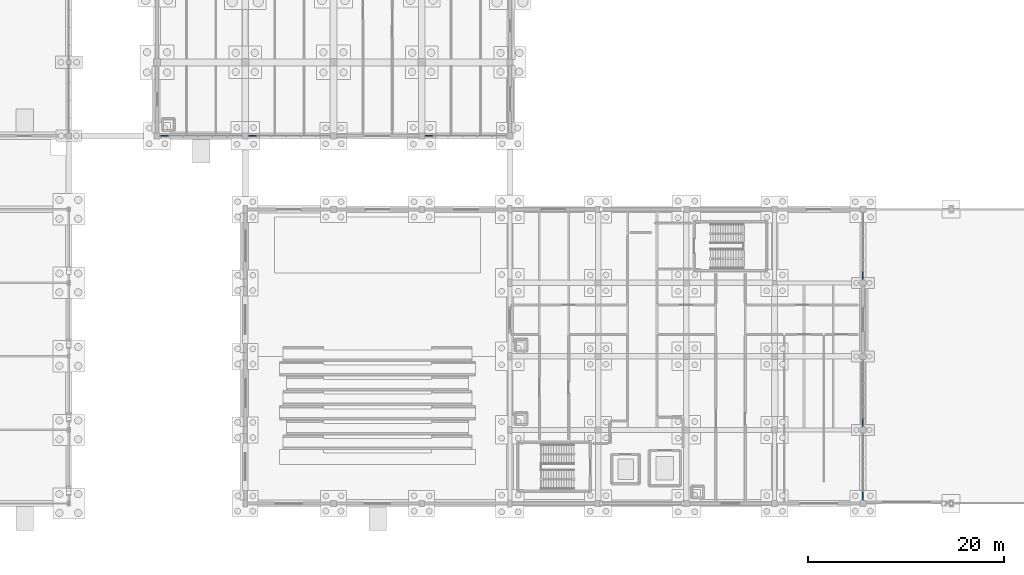
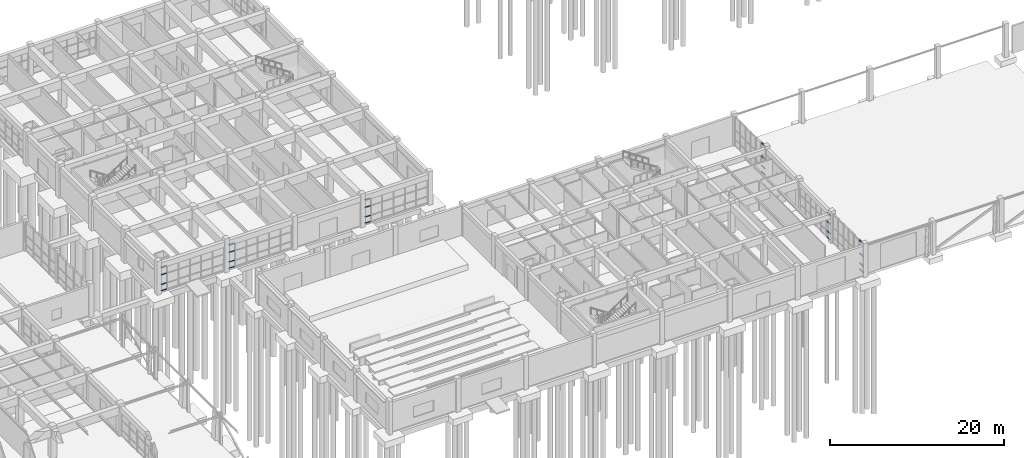
# One storey, part 40 of 93: 24 members, 6 elements without a shape of their own.
"""IFC4 building model written with IfcOpenShell, lengths in metres."""

import ifcopenshell
import ifcopenshell.guid

model = None  # the IFC model being written
_history = None  # IfcOwnerHistory: only IFC2X3 demands one
_inside = {}  # id of a spatial element -> (the spatial element, [elements in it])
_under = {}  # id of a project, library or spatial element -> (it, [spatial elements below it])
_declared = {}  # id of a project -> (the project, [libraries it declares])
_typed = {}  # id of a type object -> (the type object, [elements of that type])
_made_of = {}  # id of a material, layer set ... -> (it, [elements and type objects made of it])


def new_model(schema):
    """Start an empty IFC model of exactly this schema.

    Asked for "IFC4X3", IfcOpenShell would pick the latest addendum, in which some entities
    have other attributes; the version numbers below select the first issue.
    IFC2X3 requires an IfcOwnerHistory on every rooted entity: one is made here for all.
    """
    global model, _history
    if schema == "IFC4X3":
        model = ifcopenshell.file(schema_version=(4, 3, 0, 0))
    else:
        model = ifcopenshell.file(schema=schema)
    _inside.clear()
    _under.clear()
    _declared.clear()
    _typed.clear()
    _made_of.clear()
    _history = None
    if model.schema == "IFC2X3":
        org = make("IfcOrganization", Name="unknown")
        user = make(
            "IfcPersonAndOrganization",
            ThePerson=make("IfcPerson", FamilyName="unknown"),
            TheOrganization=org,
        )
        app = make(
            "IfcApplication",
            ApplicationDeveloper=org,
            Version="unknown",
            ApplicationFullName="unknown",
            ApplicationIdentifier="unknown",
        )
        _history = make(
            "IfcOwnerHistory",
            OwningUser=user,
            OwningApplication=app,
            ChangeAction="ADDED",
            CreationDate=0,
        )
    return model


def make(cls, **values):
    """One entity of the class cls with the attributes given. An attribute that is None is left unset."""
    return model.create_entity(
        cls, **{name: value for name, value in values.items() if value is not None}
    )


def rooted(cls, **values):
    """An entity with a GlobalId (a new one), such as an element, a storey or a relation."""
    return make(cls, GlobalId=ifcopenshell.guid.new(), OwnerHistory=_history, **values)


def si_unit(unit_type, name, prefix=None):
    """IfcSIUnit, for example si_unit("LENGTHUNIT", "METRE", prefix="MILLI")."""
    return make("IfcSIUnit", UnitType=unit_type, Prefix=prefix, Name=name)


def assignment(units):
    """IfcUnitAssignment: the units of a project."""
    return None if units is None else make("IfcUnitAssignment", Units=units)


def point(xyz):
    """IfcCartesianPoint."""
    return None if xyz is None else make("IfcCartesianPoint", Coordinates=xyz)


def direction(xyz):
    """IfcDirection."""
    return None if xyz is None else make("IfcDirection", DirectionRatios=xyz)


def frame(location, z_axis=None, x_axis=None):
    """IfcAxis2Placement3D, a coordinate frame: its origin and axes. An axis left out is left unset."""
    return make(
        "IfcAxis2Placement3D",
        Location=point(location),
        Axis=direction(z_axis),
        RefDirection=direction(x_axis),
    )


def frame_2d(location, x_axis=None):
    """IfcAxis2Placement2D, a coordinate frame in the plane: its origin and x axis."""
    return make(
        "IfcAxis2Placement2D", Location=point(location), RefDirection=direction(x_axis)
    )


def origin():
    """The frame at (0, 0, 0) with its axes left unset."""
    return frame((0.0, 0.0, 0.0))


def origin_2d():
    """The frame at (0, 0) in the plane with its x axis left unset."""
    return frame_2d((0.0, 0.0))


def place(relative_to, where):
    """IfcLocalPlacement: puts the frame where relative to a parent placement (None: the world)."""
    return make(
        "IfcLocalPlacement", PlacementRelTo=relative_to, RelativePlacement=where
    )


def context(
    kind, dimensions, precision=None, world=None, true_north=None, identifier=None
):
    """IfcGeometricRepresentationContext, for example the 3D "Model" context."""
    return make(
        "IfcGeometricRepresentationContext",
        ContextIdentifier=identifier,
        ContextType=kind,
        CoordinateSpaceDimension=dimensions,
        Precision=precision,
        WorldCoordinateSystem=world,
        TrueNorth=true_north,
    )


def subcontext(parent, identifier, kind, view, scale=None):
    """IfcGeometricRepresentationSubContext, for example "Body" below "Model"."""
    return make(
        "IfcGeometricRepresentationSubContext",
        ContextIdentifier=identifier,
        ContextType=kind,
        ParentContext=parent,
        TargetScale=scale,
        TargetView=view,
    )


def project(units=None, contexts=None):
    """IfcProject with its units and contexts."""
    return rooted(
        "IfcProject",
        Name="project",
        RepresentationContexts=contexts,
        UnitsInContext=assignment(units),
    )


def spatial(cls, under=None, at=None, **own):
    """A site, building, storey or space (cls), placed at a placement, below another one or the project."""
    s = rooted(cls, ObjectPlacement=at, **own)
    if under is not None:
        _under.setdefault(under.id(), (under, []))[1].append(s)
    return s


def profile(cls, at=None, kind="AREA", **sizes):
    """A parametric profile (cls). Its sizes go by their IFC names, for example OverallWidth=200.0."""
    return make(cls, ProfileType=kind, Position=at, **sizes)


def rectangle(**sizes):
    """IfcRectangleProfileDef."""
    return profile("IfcRectangleProfileDef", **sizes)


def extrude(swept, where, along, depth):
    """IfcExtrudedAreaSolid: the profile swept, set in the frame where, extruded along a direction by depth."""
    return make(
        "IfcExtrudedAreaSolid",
        SweptArea=swept,
        Position=where,
        ExtrudedDirection=direction(along),
        Depth=depth,
    )


def shape(context_of_items, identifier, shape_type, items):
    """IfcShapeRepresentation: the items that make up one representation, for example the "Body"."""
    return make(
        "IfcShapeRepresentation",
        ContextOfItems=context_of_items,
        RepresentationIdentifier=identifier,
        RepresentationType=shape_type,
        Items=items,
    )


def material(Name=None, Category=None):
    """IfcMaterial."""
    return make("IfcMaterial", Name=Name, Category=Category)


def layer(
    of_material, thickness, ventilated=None, Name=None, Category=None, Priority=None
):
    """IfcMaterialLayer: one layer of a wall or slab, of a material (None: an air gap)."""
    return make(
        "IfcMaterialLayer",
        Material=of_material,
        LayerThickness=thickness,
        IsVentilated=ventilated,
        Name=Name,
        Category=Category,
        Priority=Priority,
    )


def layer_set(layers, Name=None):
    """IfcMaterialLayerSet."""
    return make("IfcMaterialLayerSet", MaterialLayers=layers, LayerSetName=Name)


def material_profile(
    of_material, cross_section, Name=None, Category=None, Priority=None
):
    """IfcMaterialProfile: a cross section and its material."""
    return make(
        "IfcMaterialProfile",
        Name=Name,
        Material=of_material,
        Profile=cross_section,
        Priority=Priority,
        Category=Category,
    )


def profile_set(profiles, Name=None, composite=None):
    """IfcMaterialProfileSet."""
    return make(
        "IfcMaterialProfileSet",
        Name=Name,
        MaterialProfiles=profiles,
        CompositeProfile=composite,
    )


def made_of(thing, what):
    """Note that an element or type object is made of a material, layer set ...; save() writes the relation."""
    if what is not None:
        _made_of.setdefault(what.id(), (what, []))[1].append(thing)
    return thing


def type_object(cls, material=None, **own):
    """A type object (cls), such as IfcWallType, which elements share."""
    return made_of(rooted(cls, **own), material)


def element(
    cls,
    number,
    at=None,
    inside=None,
    cuts=None,
    type_object=None,
    material=None,
    context=None,
    identifier="Body",
    shape_type=None,
    held_by="IfcProductDefinitionShape",
    body=None,
    shapes=None,
    **own,
):
    """One element of the class cls, such as IfcWall. Its Tag is "e" and its number.

    at: its placement. inside: the storey or other place that contains it. cuts: it is an
    opening in that element (IfcRelVoidsElement). A single representation is given by context,
    identifier, shape_type and body (its items); several are given by shapes. held_by: the class
    of the entity that holds the representations. save() writes the other relations.
    """
    e = rooted(cls, Tag="e%d" % number, ObjectPlacement=at, **own)
    if body is not None:
        shapes = [shape(context, identifier, shape_type, body)]
    if shapes is not None:
        e.Representation = make(held_by, Representations=shapes)
    if inside is not None:
        _inside.setdefault(inside.id(), (inside, []))[1].append(e)
    if cuts is not None:
        rooted(
            "IfcRelVoidsElement", RelatingBuildingElement=cuts, RelatedOpeningElement=e
        )
    if type_object is not None:
        _typed.setdefault(type_object.id(), (type_object, []))[1].append(e)
    return made_of(e, material)


def aggregate(whole, parts):
    """IfcRelAggregates: a whole, such as a stair, and the parts it consists of."""
    return rooted("IfcRelAggregates", RelatingObject=whole, RelatedObjects=parts)


def save(model, path):
    """Write the relations noted so far, then the file.

    IfcRelAggregates (storeys below a building ...), IfcRelContainedInSpatialStructure (elements
    in a storey), IfcRelDefinesByType, IfcRelAssociatesMaterial and IfcRelDeclares: one each for
    every whole, place, type object, material and project.
    """
    for whole, parts in _under.values():
        aggregate(whole, parts)
    for where, things in _inside.values():
        rooted(
            "IfcRelContainedInSpatialStructure",
            RelatedElements=things,
            RelatingStructure=where,
        )
    for kind, things in _typed.values():
        rooted("IfcRelDefinesByType", RelatedObjects=things, RelatingType=kind)
    for what, things in _made_of.values():
        rooted("IfcRelAssociatesMaterial", RelatedObjects=things, RelatingMaterial=what)
    for by, libraries in _declared.values():
        rooted("IfcRelDeclares", RelatingContext=by, RelatedDefinitions=libraries)
    model.write(path)


model = new_model("IFC4")

# Units and contexts
model_context = context("Model", 3, precision=1e-05, world=origin(), true_north=direction((0.0, 1.0)))
body_context = subcontext(model_context, "Body", "Model", "MODEL_VIEW")
ifc_project = project(units=[si_unit("LENGTHUNIT", "METRE"), si_unit("AREAUNIT", "SQUARE_METRE"), si_unit("VOLUMEUNIT", "CUBIC_METRE"), si_unit("PLANEANGLEUNIT", "RADIAN"), si_unit("MASSUNIT", "GRAM", prefix="KILO")], contexts=[model_context])

# Site, building, storey
site_placement = place(None, origin())
site = spatial("IfcSite", under=ifc_project, at=site_placement, CompositionType="ELEMENT")
building_placement = place(site_placement, origin())
building = spatial("IfcBuilding", under=site, at=building_placement, Name="Marnridge Secondary College", CompositionType="ELEMENT")
storey_placement = place(building_placement, origin())
storey = spatial("IfcBuildingStorey", under=building, at=storey_placement, Name="L00", CompositionType="ELEMENT", Elevation=0.0)

# Curtain wall, members
ifc_material_1 = material(Name="Thermally broken aluminium and low-E glazing", Category="aluminium")
ifc_layer_1 = layer(ifc_material_1, 0.159912109375)
ifc_layer_set_1 = layer_set([ifc_layer_1], Name="CW-MOD-1500")
curtain_wall_type_1 = type_object("IfcCurtainWallType", Name="CW-MOD-1500", PredefinedType="NOTDEFINED", material=ifc_layer_set_1)
curtain_wall_1_placement = place(storey_placement, origin())
curtain_wall_1 = element("IfcCurtainWall", 1, at=curtain_wall_1_placement, inside=storey, type_object=curtain_wall_type_1, Name="Unitised curtain wall CW-L00-004", PredefinedType="NOTDEFINED")
ifc_material_2 = material(Name="Anodised aluminium 6063-T6", Category="aluminium")
ifc_material_profile = material_profile(ifc_material_2, rectangle(XDim=0.06005859375, YDim=0.1201171875, at=origin_2d()), Name="ALU 60x120")
ifc_profile_set = profile_set([ifc_material_profile], Name="Anodised aluminium 6063-T6")
member_type = type_object("IfcMemberType", Name="CWT-ALU120", PredefinedType="USERDEFINED", material=ifc_profile_set)
member_1_placement = place(storey_placement, frame((82.135986328125, 37.5, 0.030029296875), z_axis=(-1.0, 0.0, 0.0), x_axis=(0.0, 0.0, 1.0)))
member_1 = element("IfcMember", 2, at=member_1_placement, type_object=member_type, Name="CW-L00-004 transom 6.1", ObjectType="TRANSOM", PredefinedType="USERDEFINED", context=body_context, shape_type="SweptSolid", body=[
    extrude(rectangle(XDim=0.06005859375, YDim=0.1201171875, at=origin_2d()), origin(), (0.0, 0.0, 1.0), 0.77197265625),
])
member_2_placement = place(storey_placement, frame((82.135986328125, 37.5, 0.89990234375), z_axis=(-1.0, 0.0, 0.0), x_axis=(0.0, 0.0, 1.0)))
member_2 = element("IfcMember", 3, at=member_2_placement, type_object=member_type, Name="CW-L00-004 transom 6.2", ObjectType="TRANSOM", PredefinedType="USERDEFINED", context=body_context, shape_type="SweptSolid", body=[
    extrude(rectangle(XDim=0.06005859375, YDim=0.1201171875, at=origin_2d()), origin(), (0.0, 0.0, 1.0), 0.77197265625),
])
member_3_placement = place(storey_placement, frame((82.135986328125, 37.5, 2.25), z_axis=(-1.0, 0.0, 0.0), x_axis=(0.0, 0.0, 1.0)))
member_3 = element("IfcMember", 4, at=member_3_placement, type_object=member_type, Name="CW-L00-004 transom 6.3", ObjectType="TRANSOM", PredefinedType="USERDEFINED", context=body_context, shape_type="SweptSolid", body=[
    extrude(rectangle(XDim=0.06005859375, YDim=0.1201171875, at=origin_2d()), origin(), (0.0, 0.0, 1.0), 0.77197265625),
])
member_4_placement = place(storey_placement, frame((82.135986328125, 37.5, 3.2919921875), z_axis=(-1.0, 0.0, 0.0), x_axis=(0.0, 0.0, 1.0)))
member_4 = element("IfcMember", 5, at=member_4_placement, type_object=member_type, Name="CW-L00-004 transom 6.4", ObjectType="TRANSOM", PredefinedType="USERDEFINED", context=body_context, shape_type="SweptSolid", body=[
    extrude(rectangle(XDim=0.06005859375, YDim=0.1201171875, at=origin_2d()), origin(), (0.0, 0.0, 1.0), 0.77197265625),
])
aggregate(curtain_wall_1, [member_1, member_2, member_3, member_4])

curtain_wall_2_placement = place(storey_placement, origin())
curtain_wall_2 = element("IfcCurtainWall", 6, at=curtain_wall_2_placement, inside=storey, type_object=curtain_wall_type_1, Name="Unitised curtain wall CW-L00-005", PredefinedType="NOTDEFINED")
member_5_placement = place(storey_placement, frame((64.135986328125, 37.5, 0.030029296875), z_axis=(-1.0, 0.0, 0.0), x_axis=(0.0, 0.0, 1.0)))
member_5 = element("IfcMember", 7, at=member_5_placement, type_object=member_type, Name="CW-L00-005 transom 6.1", ObjectType="TRANSOM", PredefinedType="USERDEFINED", context=body_context, shape_type="SweptSolid", body=[
    extrude(rectangle(XDim=0.06005859375, YDim=0.1201171875, at=origin_2d()), origin(), (0.0, 0.0, 1.0), 0.77197265625),
])
member_6_placement = place(storey_placement, frame((64.135986328125, 37.5, 0.89990234375), z_axis=(-1.0, 0.0, 0.0), x_axis=(0.0, 0.0, 1.0)))
member_6 = element("IfcMember", 8, at=member_6_placement, type_object=member_type, Name="CW-L00-005 transom 6.2", ObjectType="TRANSOM", PredefinedType="USERDEFINED", context=body_context, shape_type="SweptSolid", body=[
    extrude(rectangle(XDim=0.06005859375, YDim=0.1201171875, at=origin_2d()), origin(), (0.0, 0.0, 1.0), 0.77197265625),
])
member_7_placement = place(storey_placement, frame((64.135986328125, 37.5, 2.25), z_axis=(-1.0, 0.0, 0.0), x_axis=(0.0, 0.0, 1.0)))
member_7 = element("IfcMember", 9, at=member_7_placement, type_object=member_type, Name="CW-L00-005 transom 6.3", ObjectType="TRANSOM", PredefinedType="USERDEFINED", context=body_context, shape_type="SweptSolid", body=[
    extrude(rectangle(XDim=0.06005859375, YDim=0.1201171875, at=origin_2d()), origin(), (0.0, 0.0, 1.0), 0.77197265625),
])
member_8_placement = place(storey_placement, frame((64.135986328125, 37.5, 3.2919921875), z_axis=(-1.0, 0.0, 0.0), x_axis=(0.0, 0.0, 1.0)))
member_8 = element("IfcMember", 10, at=member_8_placement, type_object=member_type, Name="CW-L00-005 transom 6.4", ObjectType="TRANSOM", PredefinedType="USERDEFINED", context=body_context, shape_type="SweptSolid", body=[
    extrude(rectangle(XDim=0.06005859375, YDim=0.1201171875, at=origin_2d()), origin(), (0.0, 0.0, 1.0), 0.77197265625),
])
aggregate(curtain_wall_2, [member_5, member_6, member_7, member_8])

curtain_wall_3_placement = place(storey_placement, origin())
curtain_wall_3 = element("IfcCurtainWall", 11, at=curtain_wall_3_placement, inside=storey, type_object=curtain_wall_type_1, Name="Unitised curtain wall CW-L00-006", PredefinedType="NOTDEFINED")
member_9_placement = place(storey_placement, frame((55.135986328125, 37.5, 0.030029296875), z_axis=(-1.0, 0.0, 0.0), x_axis=(0.0, 0.0, 1.0)))
member_9 = element("IfcMember", 12, at=member_9_placement, type_object=member_type, Name="CW-L00-006 transom 6.1", ObjectType="TRANSOM", PredefinedType="USERDEFINED", context=body_context, shape_type="SweptSolid", body=[
    extrude(rectangle(XDim=0.06005859375, YDim=0.1201171875, at=origin_2d()), origin(), (0.0, 0.0, 1.0), 0.77197265625),
])
member_10_placement = place(storey_placement, frame((55.135986328125, 37.5, 0.89990234375), z_axis=(-1.0, 0.0, 0.0), x_axis=(0.0, 0.0, 1.0)))
member_10 = element("IfcMember", 13, at=member_10_placement, type_object=member_type, Name="CW-L00-006 transom 6.2", ObjectType="TRANSOM", PredefinedType="USERDEFINED", context=body_context, shape_type="SweptSolid", body=[
    extrude(rectangle(XDim=0.06005859375, YDim=0.1201171875, at=origin_2d()), origin(), (0.0, 0.0, 1.0), 0.77197265625),
])
member_11_placement = place(storey_placement, frame((55.135986328125, 37.5, 2.25), z_axis=(-1.0, 0.0, 0.0), x_axis=(0.0, 0.0, 1.0)))
member_11 = element("IfcMember", 14, at=member_11_placement, type_object=member_type, Name="CW-L00-006 transom 6.3", ObjectType="TRANSOM", PredefinedType="USERDEFINED", context=body_context, shape_type="SweptSolid", body=[
    extrude(rectangle(XDim=0.06005859375, YDim=0.1201171875, at=origin_2d()), origin(), (0.0, 0.0, 1.0), 0.77197265625),
])
member_12_placement = place(storey_placement, frame((55.135986328125, 37.5, 3.2919921875), z_axis=(-1.0, 0.0, 0.0), x_axis=(0.0, 0.0, 1.0)))
member_12 = element("IfcMember", 15, at=member_12_placement, type_object=member_type, Name="CW-L00-006 transom 6.4", ObjectType="TRANSOM", PredefinedType="USERDEFINED", context=body_context, shape_type="SweptSolid", body=[
    extrude(rectangle(XDim=0.06005859375, YDim=0.1201171875, at=origin_2d()), origin(), (0.0, 0.0, 1.0), 0.77197265625),
])
aggregate(curtain_wall_3, [member_9, member_10, member_11, member_12])

ifc_material_3 = material(Name="Thermally broken aluminium and low-E glazing", Category="aluminium")
ifc_layer_2 = layer(ifc_material_3, 0.179931640625)
ifc_layer_set_2 = layer_set([ifc_layer_2], Name="CW-MOD-1200")
curtain_wall_type_2 = type_object("IfcCurtainWallType", Name="CW-MOD-1200", PredefinedType="NOTDEFINED", material=ifc_layer_set_2)
curtain_wall_4_placement = place(storey_placement, origin())
curtain_wall_4 = element("IfcCurtainWall", 16, at=curtain_wall_4_placement, inside=storey, type_object=curtain_wall_type_2, Name="Unitised curtain wall CW-L00-009", PredefinedType="NOTDEFINED")
member_13_placement = place(storey_placement, frame((126.0, 23.631103515625, 0.030029296875), z_axis=(0.0, -1.0, 0.0), x_axis=(0.0, 0.0, 1.0)))
member_13 = element("IfcMember", 17, at=member_13_placement, type_object=member_type, Name="CW-L00-009 transom 6.1", ObjectType="TRANSOM", PredefinedType="USERDEFINED", context=body_context, shape_type="SweptSolid", body=[
    extrude(rectangle(XDim=0.06005859375, YDim=0.1201171875, at=origin_2d()), origin(), (0.0, 0.0, 1.0), 0.76220703125),
])
member_14_placement = place(storey_placement, frame((126.0, 23.631103515625, 0.89990234375), z_axis=(0.0, -1.0, 0.0), x_axis=(0.0, 0.0, 1.0)))
member_14 = element("IfcMember", 18, at=member_14_placement, type_object=member_type, Name="CW-L00-009 transom 6.2", ObjectType="TRANSOM", PredefinedType="USERDEFINED", context=body_context, shape_type="SweptSolid", body=[
    extrude(rectangle(XDim=0.06005859375, YDim=0.1201171875, at=origin_2d()), origin(), (0.0, 0.0, 1.0), 0.76220703125),
])
member_15_placement = place(storey_placement, frame((126.0, 23.631103515625, 2.25), z_axis=(0.0, -1.0, 0.0), x_axis=(0.0, 0.0, 1.0)))
member_15 = element("IfcMember", 19, at=member_15_placement, type_object=member_type, Name="CW-L00-009 transom 6.3", ObjectType="TRANSOM", PredefinedType="USERDEFINED", context=body_context, shape_type="SweptSolid", body=[
    extrude(rectangle(XDim=0.06005859375, YDim=0.1201171875, at=origin_2d()), origin(), (0.0, 0.0, 1.0), 0.76220703125),
])
member_16_placement = place(storey_placement, frame((126.0, 23.631103515625, 4.070068359375), z_axis=(0.0, -1.0, 0.0), x_axis=(0.0, 0.0, 1.0)))
member_16 = element("IfcMember", 20, at=member_16_placement, type_object=member_type, Name="CW-L00-009 transom 6.4", ObjectType="TRANSOM", PredefinedType="USERDEFINED", context=body_context, shape_type="SweptSolid", body=[
    extrude(rectangle(XDim=0.06005859375, YDim=0.1201171875, at=origin_2d()), origin(), (0.0, 0.0, 1.0), 0.76220703125),
])
aggregate(curtain_wall_4, [member_13, member_14, member_15, member_16])

curtain_wall_5_placement = place(storey_placement, origin())
curtain_wall_5 = element("IfcCurtainWall", 21, at=curtain_wall_5_placement, inside=storey, type_object=curtain_wall_type_2, Name="Unitised curtain wall CW-L00-010", PredefinedType="NOTDEFINED")
member_17_placement = place(storey_placement, frame((126.0, 8.631103515625, 0.030029296875), z_axis=(0.0, -1.0, 0.0), x_axis=(0.0, 0.0, 1.0)))
member_17 = element("IfcMember", 22, at=member_17_placement, type_object=member_type, Name="CW-L00-010 transom 6.1", ObjectType="TRANSOM", PredefinedType="USERDEFINED", context=body_context, shape_type="SweptSolid", body=[
    extrude(rectangle(XDim=0.06005859375, YDim=0.1201171875, at=origin_2d()), origin(), (0.0, 0.0, 1.0), 0.76220703125),
])
member_18_placement = place(storey_placement, frame((126.0, 8.631103515625, 0.89990234375), z_axis=(0.0, -1.0, 0.0), x_axis=(0.0, 0.0, 1.0)))
member_18 = element("IfcMember", 23, at=member_18_placement, type_object=member_type, Name="CW-L00-010 transom 6.2", ObjectType="TRANSOM", PredefinedType="USERDEFINED", context=body_context, shape_type="SweptSolid", body=[
    extrude(rectangle(XDim=0.06005859375, YDim=0.1201171875, at=origin_2d()), origin(), (0.0, 0.0, 1.0), 0.76220703125),
])
member_19_placement = place(storey_placement, frame((126.0, 8.631103515625, 2.25), z_axis=(0.0, -1.0, 0.0), x_axis=(0.0, 0.0, 1.0)))
member_19 = element("IfcMember", 24, at=member_19_placement, type_object=member_type, Name="CW-L00-010 transom 6.3", ObjectType="TRANSOM", PredefinedType="USERDEFINED", context=body_context, shape_type="SweptSolid", body=[
    extrude(rectangle(XDim=0.06005859375, YDim=0.1201171875, at=origin_2d()), origin(), (0.0, 0.0, 1.0), 0.76220703125),
])
member_20_placement = place(storey_placement, frame((126.0, 8.631103515625, 3.412109375), z_axis=(0.0, -1.0, 0.0), x_axis=(0.0, 0.0, 1.0)))
member_20 = element("IfcMember", 25, at=member_20_placement, type_object=member_type, Name="CW-L00-010 transom 6.4", ObjectType="TRANSOM", PredefinedType="USERDEFINED", context=body_context, shape_type="SweptSolid", body=[
    extrude(rectangle(XDim=0.06005859375, YDim=0.1201171875, at=origin_2d()), origin(), (0.0, 0.0, 1.0), 0.76220703125),
])
aggregate(curtain_wall_5, [member_17, member_18, member_19, member_20])

curtain_wall_6_placement = place(storey_placement, origin())
curtain_wall_6 = element("IfcCurtainWall", 26, at=curtain_wall_6_placement, inside=storey, type_object=curtain_wall_type_2, Name="Unitised curtain wall CW-L00-011", PredefinedType="NOTDEFINED")
member_21_placement = place(storey_placement, frame((126.0, 1.131103515625, 0.030029296875), z_axis=(0.0, -1.0, 0.0), x_axis=(0.0, 0.0, 1.0)))
member_21 = element("IfcMember", 27, at=member_21_placement, type_object=member_type, Name="CW-L00-011 transom 6.1", ObjectType="TRANSOM", PredefinedType="USERDEFINED", context=body_context, shape_type="SweptSolid", body=[
    extrude(rectangle(XDim=0.06005859375, YDim=0.1201171875, at=origin_2d()), origin(), (0.0, 0.0, 1.0), 0.76220703125),
])
member_22_placement = place(storey_placement, frame((126.0, 1.131103515625, 0.89990234375), z_axis=(0.0, -1.0, 0.0), x_axis=(0.0, 0.0, 1.0)))
member_22 = element("IfcMember", 28, at=member_22_placement, type_object=member_type, Name="CW-L00-011 transom 6.2", ObjectType="TRANSOM", PredefinedType="USERDEFINED", context=body_context, shape_type="SweptSolid", body=[
    extrude(rectangle(XDim=0.06005859375, YDim=0.1201171875, at=origin_2d()), origin(), (0.0, 0.0, 1.0), 0.76220703125),
])
member_23_placement = place(storey_placement, frame((126.0, 1.131103515625, 2.25), z_axis=(0.0, -1.0, 0.0), x_axis=(0.0, 0.0, 1.0)))
member_23 = element("IfcMember", 29, at=member_23_placement, type_object=member_type, Name="CW-L00-011 transom 6.3", ObjectType="TRANSOM", PredefinedType="USERDEFINED", context=body_context, shape_type="SweptSolid", body=[
    extrude(rectangle(XDim=0.06005859375, YDim=0.1201171875, at=origin_2d()), origin(), (0.0, 0.0, 1.0), 0.76220703125),
])
member_24_placement = place(storey_placement, frame((126.0, 1.131103515625, 4.070068359375), z_axis=(0.0, -1.0, 0.0), x_axis=(0.0, 0.0, 1.0)))
member_24 = element("IfcMember", 30, at=member_24_placement, type_object=member_type, Name="CW-L00-011 transom 6.4", ObjectType="TRANSOM", PredefinedType="USERDEFINED", context=body_context, shape_type="SweptSolid", body=[
    extrude(rectangle(XDim=0.06005859375, YDim=0.1201171875, at=origin_2d()), origin(), (0.0, 0.0, 1.0), 0.76220703125),
])
aggregate(curtain_wall_6, [member_21, member_22, member_23, member_24])

save(model, "model.ifc")
